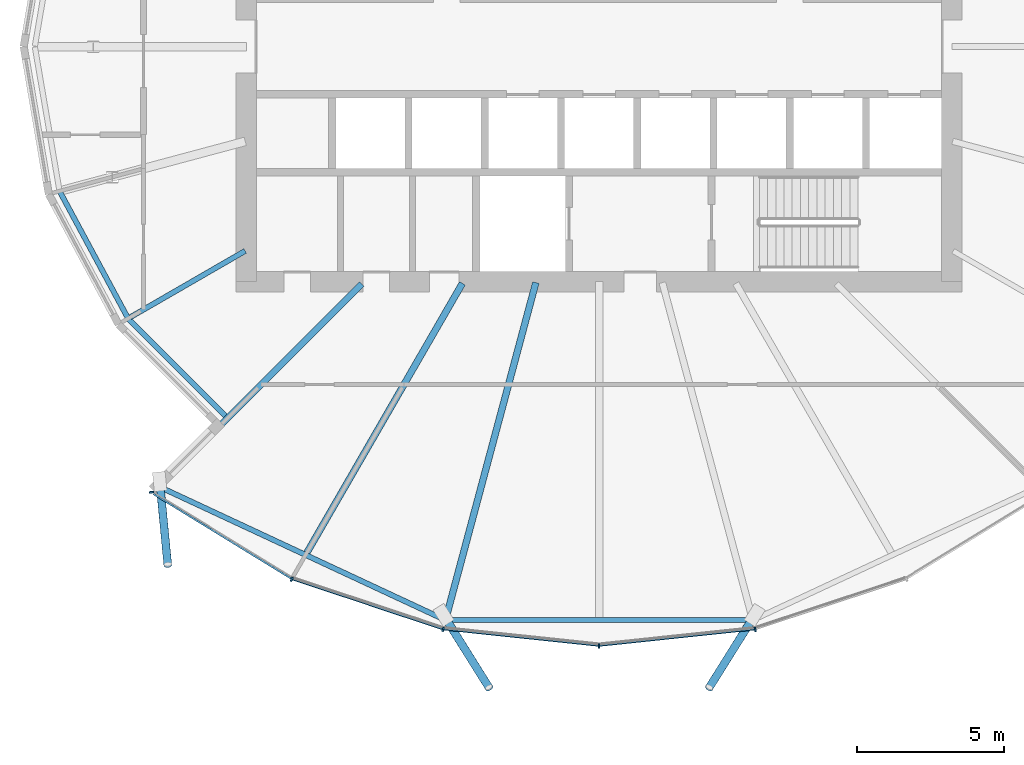
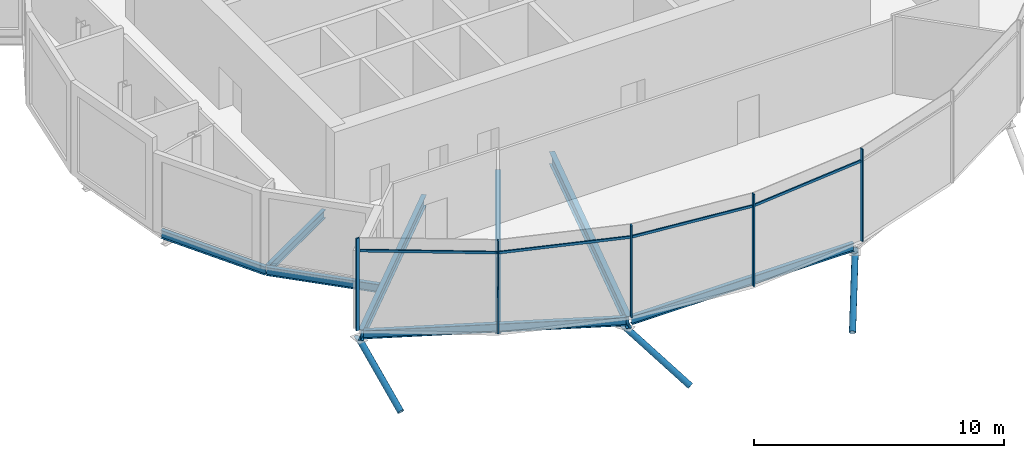
# One storey, part 3 of 36: 12 members, 8 beams, 1 element without a shape of its own.
"""IFC4 building model written with IfcOpenShell, lengths in metres."""

from ifc_helpers import new_model, si_unit, direction, frame, origin, origin_2d, place, context, subcontext, project, spatial, rectangle, hollow_circle, i_section, extrude, clip, halfspace, material, material_profile, profile_set, type_object, element, aggregate, save


model = new_model("IFC4")

# Units and contexts
model_context = context("Model", 3, precision=1e-05, world=origin(), true_north=direction((0.0, 1.0)))
body_context = subcontext(model_context, "Body", "Model", "MODEL_VIEW")
ifc_project = project(units=[si_unit("LENGTHUNIT", "METRE"), si_unit("AREAUNIT", "SQUARE_METRE"), si_unit("VOLUMEUNIT", "CUBIC_METRE"), si_unit("PLANEANGLEUNIT", "RADIAN"), si_unit("MASSUNIT", "GRAM", prefix="KILO")], contexts=[model_context])

# Site, building, storey
site_placement = place(None, origin())
site = spatial("IfcSite", under=ifc_project, at=site_placement, CompositionType="ELEMENT")
building_placement = place(site_placement, origin())
building = spatial("IfcBuilding", under=site, at=building_placement, Name="Rimbun Link Towers", CompositionType="ELEMENT")
storey_placement = place(building_placement, frame((0.0, 0.0, 154.39990234375)))
storey = spatial("IfcBuildingStorey", under=building, at=storey_placement, Name="L37", CompositionType="ELEMENT", Elevation=154.39990234375)

# Curtain wall, members
ifc_material_1 = material(Name="Aluminium 6063-T6 and low-iron glass", Category="aluminium")
curtain_wall_type = type_object("IfcCurtainWallType", Name="CW5 full height lobby wall", PredefinedType="NOTDEFINED", material=ifc_material_1)
curtain_wall_placement = place(storey_placement, origin())
curtain_wall = element("IfcCurtainWall", 1, at=curtain_wall_placement, inside=storey, type_object=curtain_wall_type, Name="CW5 L37 T1", PredefinedType="NOTDEFINED")
ifc_material_2 = material(Name="Aluminium 6063-T6", Category="aluminium")
ifc_material_profile_1 = material_profile(ifc_material_2, rectangle(XDim=0.14990234375, YDim=0.06005859375, at=origin_2d()), Name="MULLION 60X150")
ifc_profile_set_1 = profile_set([ifc_material_profile_1], Name="Aluminium 6063-T6")
member_type_1 = type_object("IfcMemberType", Name="CW5 mullion 60X150", PredefinedType="MULLION", material=ifc_profile_set_1)
member_1_placement = place(storey_placement, frame((-42.20703125, -18.12548828125, 0.0), z_axis=(0.0, 0.0, 1.0), x_axis=(-0.421697332152, -0.906736654192, 0.0)))
member_1 = element("IfcMember", 2, at=member_1_placement, type_object=member_type_1, Name="CW5 mullion", PredefinedType="MULLION", context=body_context, shape_type="SweptSolid", body=[
    extrude(rectangle(XDim=0.14990234375, YDim=0.06005859375, at=origin_2d()), origin(), (0.0, 0.0, 1.0), 4.5),
])
member_2_placement = place(storey_placement, frame((-46.978759765625, -15.1630859375, 0.0), z_axis=(0.0, 0.0, 1.0), x_axis=(-0.993118475821, -0.117114017022, 0.0)))
member_2 = element("IfcMember", 3, at=member_2_placement, type_object=member_type_1, Name="CW5 mullion", PredefinedType="MULLION", context=body_context, shape_type="SweptSolid", body=[
    extrude(rectangle(XDim=0.14990234375, YDim=0.06005859375, at=origin_2d()), origin(), (0.0, 0.0, 1.0), 4.5),
])
member_3_placement = place(storey_placement, frame((-37.059814453125, -19.831298828125, 0.0), z_axis=(0.0, 0.0, 1.0), x_axis=(-0.210874693144, -0.977513101596, 0.0)))
member_3 = element("IfcMember", 4, at=member_3_placement, type_object=member_type_1, Name="CW5 mullion", PredefinedType="MULLION", context=body_context, shape_type="SweptSolid", body=[
    extrude(rectangle(XDim=0.14990234375, YDim=0.06005859375, at=origin_2d()), origin(), (0.0, 0.0, 1.0), 4.5),
])
member_4_placement = place(storey_placement, frame((-31.75, -20.390625, 0.0), z_axis=(0.0, 0.0, 1.0), x_axis=(0.0, -1.0, 0.0)))
member_4 = element("IfcMember", 5, at=member_4_placement, type_object=member_type_1, Name="CW5 mullion", PredefinedType="MULLION", context=body_context, shape_type="SweptSolid", body=[
    extrude(rectangle(XDim=0.14990234375, YDim=0.06005859375, at=origin_2d()), origin(), (0.0, 0.0, 1.0), 4.5),
])
member_5_placement = place(storey_placement, frame((-26.440185546875, -19.831298828125, 0.0), z_axis=(0.0, 0.0, 1.0), x_axis=(0.210874693144, -0.977513101596, 0.0)))
member_5 = element("IfcMember", 6, at=member_5_placement, type_object=member_type_1, Name="CW5 mullion", PredefinedType="MULLION", context=body_context, shape_type="SweptSolid", body=[
    extrude(rectangle(XDim=0.14990234375, YDim=0.06005859375, at=origin_2d()), origin(), (0.0, 0.0, 1.0), 4.5),
])
ifc_material_3 = material(Name="Aluminium 6063-T6", Category="aluminium")
ifc_material_profile_2 = material_profile(ifc_material_3, rectangle(XDim=0.06005859375, YDim=0.1201171875, at=origin_2d()), Name="TRANSOM 60X120")
ifc_profile_set_2 = profile_set([ifc_material_profile_2], Name="Aluminium 6063-T6")
member_type_2 = type_object("IfcMemberType", Name="CW5 transom 60X120", PredefinedType="USERDEFINED", material=ifc_profile_set_2)
member_6_placement = place(storey_placement, frame((-42.2333984375, -18.0947265625, 3.900146484375), z_axis=(-0.852189318435, 0.523233566914, 0.0), x_axis=(-0.523233566914, -0.852189318435, 0.0)))
member_6 = element("IfcMember", 7, at=member_6_placement, type_object=member_type_2, Name="CW5 transom", ObjectType="TRANSOM", PredefinedType="USERDEFINED", context=body_context, shape_type="SweptSolid", body=[
    extrude(rectangle(XDim=0.06005859375, YDim=0.1201171875, at=origin_2d()), origin(), (0.0, 0.0, 1.0), 5.489013671875),
])
member_7_placement = place(storey_placement, frame((-37.092041015625, -19.807373046875, 3.900146484375), z_axis=(-0.949234446974, 0.314569491016, 0.0), x_axis=(-0.314569491016, -0.949234446974, 0.0)))
member_7 = element("IfcMember", 8, at=member_7_placement, type_object=member_type_2, Name="CW5 transom", ObjectType="TRANSOM", PredefinedType="USERDEFINED", context=body_context, shape_type="SweptSolid", body=[
    extrude(rectangle(XDim=0.06005859375, YDim=0.1201171875, at=origin_2d()), origin(), (0.0, 0.0, 1.0), 5.345947265625),
])
member_8_placement = place(storey_placement, frame((-31.786376953125, -20.3740234375, 3.900146484375), z_axis=(-0.994499859856, 0.104737905017, 0.0), x_axis=(-0.104737905017, -0.994499859856, 0.0)))
member_8 = element("IfcMember", 9, at=member_8_placement, type_object=member_type_2, Name="CW5 transom", ObjectType="TRANSOM", PredefinedType="USERDEFINED", context=body_context, shape_type="SweptSolid", body=[
    extrude(rectangle(XDim=0.06005859375, YDim=0.1201171875, at=origin_2d()), origin(), (0.0, 0.0, 1.0), 5.263427734375),
])
member_9_placement = place(storey_placement, frame((-26.479248046875, -19.82275390625, 3.900146484375), z_axis=(-0.994499859856, -0.104737905017, 0.0), x_axis=(0.104737905017, -0.994499859856, 0.0)))
member_9 = element("IfcMember", 10, at=member_9_placement, type_object=member_type_2, Name="CW5 transom", ObjectType="TRANSOM", PredefinedType="USERDEFINED", context=body_context, shape_type="SweptSolid", body=[
    extrude(rectangle(XDim=0.06005859375, YDim=0.1201171875, at=origin_2d()), origin(), (0.0, 0.0, 1.0), 5.263427734375),
])
aggregate(curtain_wall, [member_1, member_2, member_3, member_4, member_5, member_6, member_7, member_8, member_9])

# Members
ifc_material_4 = material(Name="Steel S355J2H", Category="steel")
ifc_material_profile_3 = material_profile(ifc_material_4, hollow_circle(Radius=0.136474609375, WallThickness=0.012451171875, at=origin_2d()), Name="CHS 273x12.5")
ifc_profile_set_3 = profile_set([ifc_material_profile_3], Name="Steel S355J2H")
member_type_3 = type_object("IfcMemberType", Name="Floor edge link CHS 273x12.5", PredefinedType="BRACE", material=ifc_profile_set_3)
member_10_placement = place(storey_placement, frame((-46.68701171875, -14.93701171875, -0.826416015625), z_axis=(0.079964346509, -0.825951437822, -0.558041150496), x_axis=(0.995346134985, 0.096364265003, 0.0)))
element("IfcMember", 11, at=member_10_placement, inside=storey, type_object=member_type_3, Name="Floor edge link T1 L37 15", PredefinedType="BRACE", context=body_context, shape_type="Clipping", body=[
    clip(extrude(hollow_circle(Radius=0.136474609375, WallThickness=0.012451171875, at=origin_2d()), frame((0.0, 0.0, -0.423828125)), (0.0, 0.0, 1.0), 3.708984375), halfspace(frame((0.0, 0.0, -0.19970703125), z_axis=(0.0, 0.8298132768, -0.558041150496)), False)),
])
for number, where, z_axis, x_axis, name in (
    (12, (-36.9658203125, -19.465087890625, -0.897216796875), (0.445991113908, -0.711836509262, -0.542568622754), (0.847412832635, 0.530934545011, 0.0), "Floor edge link T1 L37 17"),
    (13, (-26.5341796875, -19.465087890625, -0.897216796875), (-0.445991113908, -0.711836509262, -0.542568622754), (0.847412832635, -0.530934545011, 0.0), "Floor edge link T1 L37 19"),
):
    element("IfcMember", number, at=place(storey_placement, frame(where, z_axis=z_axis, x_axis=x_axis)), inside=storey, type_object=member_type_3, Name=name, PredefinedType="BRACE", context=body_context, shape_type="Clipping", body=[
        clip(extrude(hollow_circle(Radius=0.136474609375, WallThickness=0.012451171875, at=origin_2d()), frame((0.0, 0.0, -0.441162109375)), (0.0, 0.0, 1.0), 3.7626953125), halfspace(frame((0.0, 0.0, -0.207763671875), z_axis=(0.0, 0.840011481828, -0.542568622754)), False)),
    ])

# Beams
ifc_material_5 = material(Name="Steel S355J2", Category="steel")
ifc_material_profile_4 = material_profile(ifc_material_5, i_section(OverallWidth=0.177978515625, OverallDepth=0.406494140625, WebThickness=0.0078125, FlangeThickness=0.0126953125, at=origin_2d()), Name="UB 406x178x60")
ifc_profile_set_4 = profile_set([ifc_material_profile_4], Name="Steel S355J2")
beam_type_1 = type_object("IfcBeamType", Name="UB 406x178x60", PredefinedType="BEAM", material=ifc_profile_set_4)
beam_1_placement = place(storey_placement, frame((-43.79541015625, -6.954345703125, -0.383056640625), z_axis=(-0.86601319904, -0.500021138641, 0.0), x_axis=(0.500021138641, -0.86601319904, 0.0)))
element("IfcBeam", 14, at=beam_1_placement, inside=storey, type_object=beam_type_1, Name="Radial beam T1 L37 14", PredefinedType="BEAM", context=body_context, shape_type="SweptSolid", body=[
    extrude(i_section(OverallWidth=0.177978515625, OverallDepth=0.406494140625, WebThickness=0.0078125, FlangeThickness=0.0126953125, at=origin_2d()), origin(), (0.0, 0.0, 1.0), 4.504638671875),
])
beam_2_placement = place(storey_placement, frame((-50.100341796875, -4.9326171875, -0.383056640625), z_axis=(0.474061129578, -0.880491933764, 0.0), x_axis=(0.880491933764, 0.474061129578, 0.0)))
element("IfcBeam", 15, at=beam_2_placement, inside=storey, type_object=beam_type_1, Name="Edge beam T1 L37 13 recess", PredefinedType="BEAM", context=body_context, shape_type="SweptSolid", body=[
    extrude(i_section(OverallWidth=0.177978515625, OverallDepth=0.406494140625, WebThickness=0.0078125, FlangeThickness=0.0126953125, at=origin_2d()), origin(), (0.0, 0.0, 1.0), 4.891357421875),
])
beam_3_placement = place(storey_placement, frame((-47.764892578125, -9.261962890625, -0.383056640625), z_axis=(0.707159064582, -0.707054493925, 0.0), x_axis=(0.707054493925, 0.707159064582, 0.0)))
element("IfcBeam", 16, at=beam_3_placement, inside=storey, type_object=beam_type_1, Name="Edge beam T1 L37 14 recess", PredefinedType="BEAM", context=body_context, shape_type="SweptSolid", body=[
    extrude(i_section(OverallWidth=0.177978515625, OverallDepth=0.406494140625, WebThickness=0.0078125, FlangeThickness=0.0126953125, at=origin_2d()), origin(), (0.0, 0.0, 1.0), 4.66943359375),
])
beam_4_placement = place(storey_placement, frame((-46.62060546875, -15.02001953125, -0.383056640625), z_axis=(0.906400585734, -0.422419197222, 0.0), x_axis=(0.422419197222, 0.906400585734, 0.0)))
element("IfcBeam", 17, at=beam_4_placement, inside=storey, type_object=beam_type_1, Name="Edge beam T1 L37 15-17", PredefinedType="BEAM", context=body_context, shape_type="SweptSolid", body=[
    extrude(i_section(OverallWidth=0.177978515625, OverallDepth=0.406494140625, WebThickness=0.0078125, FlangeThickness=0.0126953125, at=origin_2d()), origin(), (0.0, 0.0, 1.0), 10.521240234375),
])
beam_5_placement = place(storey_placement, frame((-36.85986328125, -19.513427734375, -0.383056640625), z_axis=(1.0, 0.0, 0.0), x_axis=(0.0, 1.0, 0.0)))
element("IfcBeam", 18, at=beam_5_placement, inside=storey, type_object=beam_type_1, Name="Edge beam T1 L37 17-19", PredefinedType="BEAM", context=body_context, shape_type="SweptSolid", body=[
    extrude(i_section(OverallWidth=0.177978515625, OverallDepth=0.406494140625, WebThickness=0.0078125, FlangeThickness=0.0126953125, at=origin_2d()), origin(), (0.0, 0.0, 1.0), 10.2197265625),
])
ifc_material_6 = material(Name="Steel S355J2", Category="steel")
ifc_material_profile_5 = material_profile(ifc_material_6, i_section(OverallWidth=0.209228515625, OverallDepth=0.533203125, WebThickness=0.010009765625, FlangeThickness=0.015625, at=origin_2d()), Name="UB 533x210x92")
ifc_profile_set_5 = profile_set([ifc_material_profile_5], Name="Steel S355J2")
beam_type_2 = type_object("IfcBeamType", Name="UB 533x210x92", PredefinedType="BEAM", material=ifc_profile_set_5)
beam_6_placement = place(storey_placement, frame((-39.82470703125, -8.07470703125, -0.4462890625), z_axis=(-0.707106781187, -0.707106781187, 0.0), x_axis=(0.707106781187, -0.707106781187, 0.0)))
element("IfcBeam", 19, at=beam_6_placement, inside=storey, type_object=beam_type_2, Name="Radial beam T1 L37 15", PredefinedType="BEAM", context=body_context, shape_type="SweptSolid", body=[
    extrude(i_section(OverallWidth=0.209228515625, OverallDepth=0.533203125, WebThickness=0.010009765625, FlangeThickness=0.015625, at=origin_2d()), origin(), (0.0, 0.0, 1.0), 9.7548828125),
])
ifc_material_7 = material(Name="Steel S355J2", Category="steel")
ifc_material_profile_6 = material_profile(ifc_material_7, i_section(OverallWidth=0.2275390625, OverallDepth=0.6025390625, WebThickness=0.010498046875, FlangeThickness=0.014892578125, at=origin_2d()), Name="UB 610x229x101")
ifc_profile_set_6 = profile_set([ifc_material_profile_6], Name="Steel S355J2")
beam_type_3 = type_object("IfcBeamType", Name="UB 610x229x101", PredefinedType="BEAM", material=ifc_profile_set_6)
beam_7_placement = place(storey_placement, frame((-36.402099609375, -8.057861328125, -0.481201171875), z_axis=(-0.500014158692, -0.866017229106, 0.0), x_axis=(0.866017229106, -0.500014158692, 0.0)))
element("IfcBeam", 20, at=beam_7_placement, inside=storey, type_object=beam_type_3, Name="Radial beam T1 L37 16", PredefinedType="BEAM", context=body_context, shape_type="SweptSolid", body=[
    extrude(i_section(OverallWidth=0.2275390625, OverallDepth=0.6025390625, WebThickness=0.010498046875, FlangeThickness=0.014892578125, at=origin_2d()), origin(), (0.0, 0.0, 1.0), 10.577392578125),
])
beam_8_placement = place(storey_placement, frame((-33.901611328125, -8.030517578125, -0.481201171875), z_axis=(-0.258824365794, -0.965924400598, 0.0), x_axis=(0.965924400598, -0.258824365794, 0.0)))
element("IfcBeam", 21, at=beam_8_placement, inside=storey, type_object=beam_type_3, Name="Radial beam T1 L37 17", PredefinedType="BEAM", context=body_context, shape_type="SweptSolid", body=[
    extrude(i_section(OverallWidth=0.2275390625, OverallDepth=0.6025390625, WebThickness=0.010498046875, FlangeThickness=0.014892578125, at=origin_2d()), origin(), (0.0, 0.0, 1.0), 11.887939453125),
])

save(model, "model.ifc")
